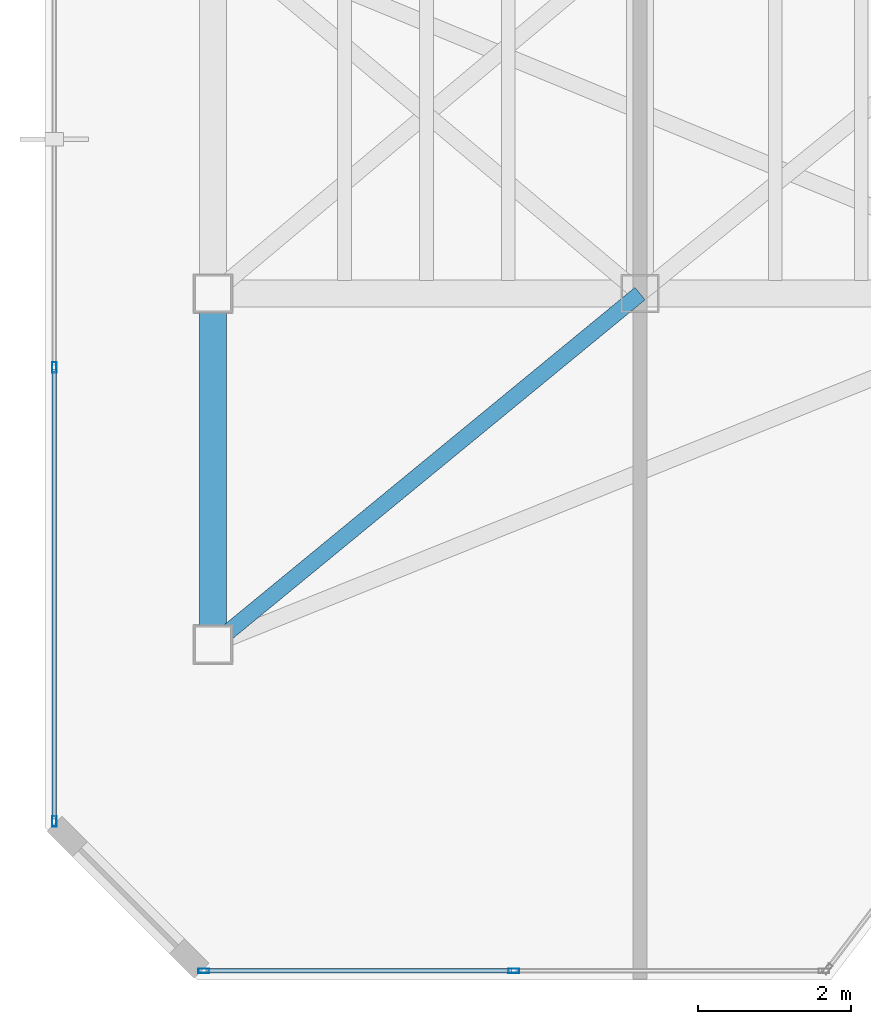
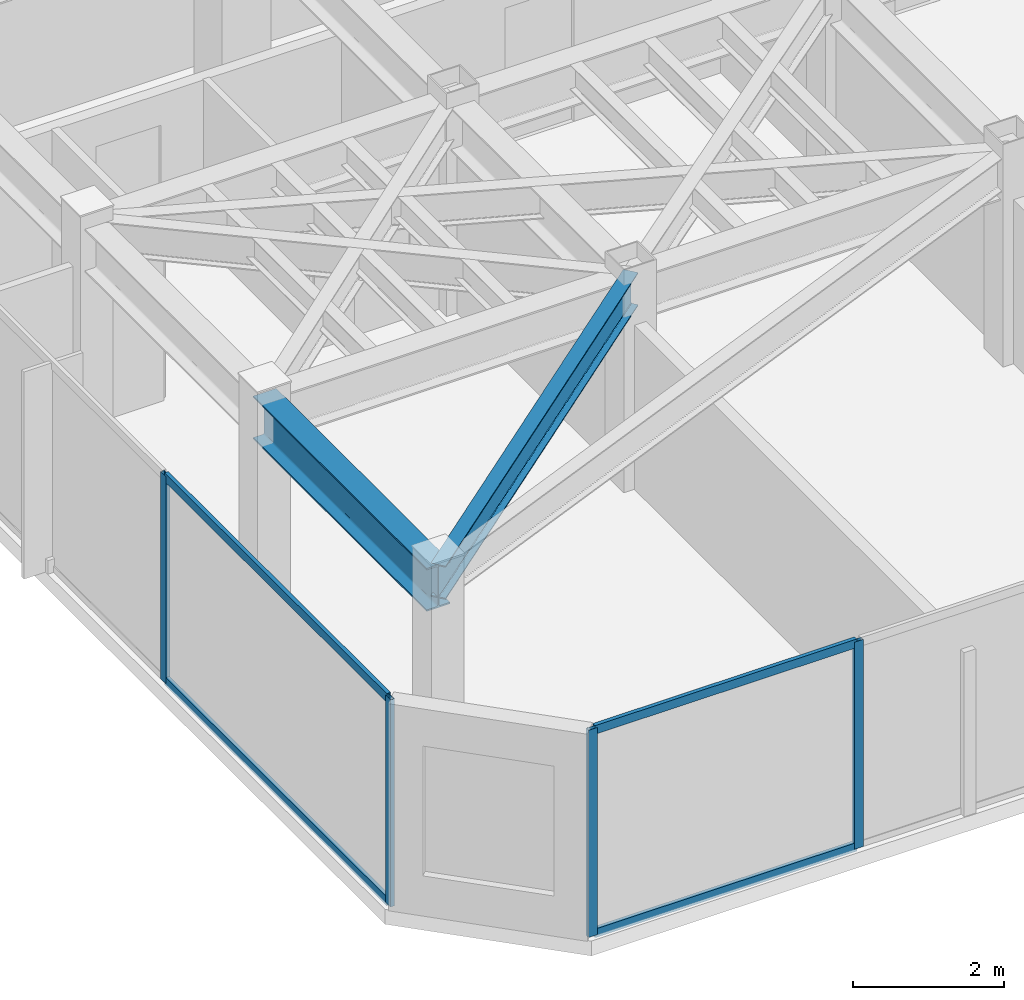
# One storey, part 2 of 19: 8 members, 2 beams, 2 elements without a shape of their own.
"""IFC4 building model written with IfcOpenShell, lengths in metres."""

from ifc_helpers import new_model, si_unit, direction, frame, origin, origin_2d, place, context, subcontext, project, spatial, hollow_rectangle, i_section, extrude, material, layer, layer_set, material_profile, profile_set, type_object, element, aggregate, save


model = new_model("IFC4")

# Units and contexts
model_context = context("Model", 3, precision=1e-05, world=origin(), true_north=direction((0.0, 1.0)))
body_context = subcontext(model_context, "Body", "Model", "MODEL_VIEW")
ifc_project = project(units=[si_unit("LENGTHUNIT", "METRE"), si_unit("AREAUNIT", "SQUARE_METRE"), si_unit("VOLUMEUNIT", "CUBIC_METRE"), si_unit("PLANEANGLEUNIT", "RADIAN"), si_unit("MASSUNIT", "GRAM", prefix="KILO")], contexts=[model_context])

# Site, building, storey
site_placement = place(None, origin())
site = spatial("IfcSite", under=ifc_project, at=site_placement, CompositionType="ELEMENT")
building_placement = place(site_placement, origin())
building = spatial("IfcBuilding", under=site, at=building_placement, Name="Kravanh Interchange Tower", CompositionType="ELEMENT")
storey_placement = place(building_placement, frame((0.0, 0.0, 259.800048828125)))
storey = spatial("IfcBuildingStorey", under=building, at=storey_placement, Name="L63", CompositionType="ELEMENT", Elevation=259.800048828125)

# Curtain wall, members
ifc_material_1 = material(Name="Anodised Bronze Aluminium", Category="aluminium")
ifc_layer = layer(ifc_material_1, 0.179931640625)
ifc_layer_set = layer_set([ifc_layer], Name="Unitised Curtain Wall System CW-HTL Luxury Hotel")
curtain_wall_type = type_object("IfcCurtainWallType", Name="Unitised Curtain Wall System CW-HTL Luxury Hotel", PredefinedType="NOTDEFINED", material=ifc_layer_set)
curtain_wall_1_placement = place(storey_placement, origin())
curtain_wall_1 = element("IfcCurtainWall", 1, at=curtain_wall_1_placement, inside=storey, type_object=curtain_wall_type, Name="L63 Unitised Curtain Wall CW-L63-01", PredefinedType="NOTDEFINED")
ifc_material_2 = material(Name="Anodised Bronze Aluminium", Category="aluminium")
ifc_material_profile_1 = material_profile(ifc_material_2, hollow_rectangle(XDim=0.06005859375, YDim=0.139892578125, WallThickness=0.00390625, at=origin_2d()), Name="ALU60X140X4")
ifc_profile_set_1 = profile_set([ifc_material_profile_1], Name="Anodised Bronze Aluminium")
member_type_1 = type_object("IfcMemberType", Name="Curtain Wall Mullion ALU60X140X4 Bronze", PredefinedType="MULLION", material=ifc_profile_set_1)
member_1_placement = place(storey_placement, frame((25.1201171875, 19.879638671875, 0.0), z_axis=(0.0, 0.0, 1.0), x_axis=(-1.0, 0.0, 0.0)))
member_1 = element("IfcMember", 2, at=member_1_placement, type_object=member_type_1, Name="CW-HTL mullion 1", PredefinedType="MULLION", context=body_context, shape_type="SweptSolid", body=[
    extrude(hollow_rectangle(XDim=0.06005859375, YDim=0.139892578125, WallThickness=0.00390625, at=origin_2d()), origin(), (0.0, 0.0, 1.0), 3.349853515625),
])
member_2_placement = place(storey_placement, frame((25.1201171875, 25.833251953125, 0.0), z_axis=(0.0, 0.0, 1.0), x_axis=(-1.0, 0.0, 0.0)))
member_2 = element("IfcMember", 3, at=member_2_placement, type_object=member_type_1, Name="CW-HTL mullion 2", PredefinedType="MULLION", context=body_context, shape_type="SweptSolid", body=[
    extrude(hollow_rectangle(XDim=0.06005859375, YDim=0.139892578125, WallThickness=0.00390625, at=origin_2d()), origin(), (0.0, 0.0, 1.0), 3.349853515625),
])

curtain_wall_2_placement = place(storey_placement, origin())
curtain_wall_2 = element("IfcCurtainWall", 4, at=curtain_wall_2_placement, inside=storey, type_object=curtain_wall_type, Name="L63 Unitised Curtain Wall CW-L63-06", PredefinedType="NOTDEFINED")
member_3_placement = place(storey_placement, frame((31.14501953125, 17.919921875, 0.0), z_axis=(0.0, 0.0, 1.0), x_axis=(0.0, -1.0, 0.0)))
member_3 = element("IfcMember", 5, at=member_3_placement, type_object=member_type_1, Name="CW-HTL mullion 2", PredefinedType="MULLION", context=body_context, shape_type="SweptSolid", body=[
    extrude(hollow_rectangle(XDim=0.06005859375, YDim=0.139892578125, WallThickness=0.00390625, at=origin_2d()), origin(), (0.0, 0.0, 1.0), 3.349853515625),
])
member_4_placement = place(storey_placement, frame((27.07958984375, 17.919921875, 0.0), z_axis=(0.0, 0.0, 1.0), x_axis=(0.0, -1.0, 0.0)))
member_4 = element("IfcMember", 6, at=member_4_placement, type_object=member_type_1, Name="CW-HTL mullion 3", PredefinedType="MULLION", context=body_context, shape_type="SweptSolid", body=[
    extrude(hollow_rectangle(XDim=0.06005859375, YDim=0.139892578125, WallThickness=0.00390625, at=origin_2d()), origin(), (0.0, 0.0, 1.0), 3.349853515625),
])

# Member
ifc_material_3 = material(Name="Anodised Bronze Aluminium", Category="aluminium")
ifc_material_profile_2 = material_profile(ifc_material_3, hollow_rectangle(XDim=0.06005859375, YDim=0.139892578125, WallThickness=0.00390625, at=origin_2d()), Name="ALU60X140X4")
ifc_profile_set_2 = profile_set([ifc_material_profile_2], Name="Anodised Bronze Aluminium")
member_type_2 = type_object("IfcMemberType", Name="Curtain Wall Transom ALU60X140X4 Bronze", PredefinedType="USERDEFINED", material=ifc_profile_set_2)
member_5_placement = place(storey_placement, frame((25.1201171875, 19.90966796875, 0.030029296875), z_axis=(0.0, 1.0, 0.0), x_axis=(-1.0, 0.0, 0.0)))
member_5 = element("IfcMember", 7, at=member_5_placement, type_object=member_type_2, Name="CW-HTL transom 1.1", ObjectType="TRANSOM", PredefinedType="USERDEFINED", context=body_context, shape_type="SweptSolid", body=[
    extrude(hollow_rectangle(XDim=0.06005859375, YDim=0.139892578125, WallThickness=0.00390625, at=origin_2d()), origin(), (0.0, 0.0, 1.0), 5.8935546875),
])

member_6_placement = place(storey_placement, frame((25.1201171875, 19.90966796875, 3.320068359375), z_axis=(0.0, 1.0, 0.0), x_axis=(-1.0, 0.0, 0.0)))
member_6 = element("IfcMember", 8, at=member_6_placement, type_object=member_type_2, Name="CW-HTL transom 1.2", ObjectType="TRANSOM", PredefinedType="USERDEFINED", context=body_context, shape_type="SweptSolid", body=[
    extrude(hollow_rectangle(XDim=0.06005859375, YDim=0.139892578125, WallThickness=0.00390625, at=origin_2d()), origin(), (0.0, 0.0, 1.0), 5.8935546875),
])

aggregate(curtain_wall_1, [member_1, member_2, member_5, member_6])

member_7_placement = place(storey_placement, frame((31.114990234375, 17.919921875, 0.030029296875), z_axis=(-1.0, 0.0, 0.0), x_axis=(0.0, -1.0, 0.0)))
member_7 = element("IfcMember", 9, at=member_7_placement, type_object=member_type_2, Name="CW-HTL transom 2.1", ObjectType="TRANSOM", PredefinedType="USERDEFINED", context=body_context, shape_type="SweptSolid", body=[
    extrude(hollow_rectangle(XDim=0.06005859375, YDim=0.139892578125, WallThickness=0.00390625, at=origin_2d()), origin(), (0.0, 0.0, 1.0), 4.00537109375),
])

member_8_placement = place(storey_placement, frame((31.114990234375, 17.919921875, 3.320068359375), z_axis=(-1.0, 0.0, 0.0), x_axis=(0.0, -1.0, 0.0)))
member_8 = element("IfcMember", 10, at=member_8_placement, type_object=member_type_2, Name="CW-HTL transom 2.2", ObjectType="TRANSOM", PredefinedType="USERDEFINED", context=body_context, shape_type="SweptSolid", body=[
    extrude(hollow_rectangle(XDim=0.06005859375, YDim=0.139892578125, WallThickness=0.00390625, at=origin_2d()), origin(), (0.0, 0.0, 1.0), 4.00537109375),
])

aggregate(curtain_wall_2, [member_3, member_4, member_7, member_8])

# Beams
ifc_material_4 = material(Name="Structural Steel S355", Category="steel")
ifc_material_profile_3 = material_profile(ifc_material_4, i_section(OverallWidth=0.35498046875, OverallDepth=0.696044921875, WebThickness=0.015380859375, FlangeThickness=0.02490234375, FilletRadius=0.02392578125, at=origin_2d()), Name="W27X146")
ifc_profile_set_3 = profile_set([ifc_material_profile_3], Name="Structural Steel S355")
beam_type_1 = type_object("IfcBeamType", Name="Floor Beam W27X146 Structural Steel S355", PredefinedType="BEAM", material=ifc_profile_set_3)
beam_1_placement = place(storey_placement, frame((27.199951171875, 22.199951171875, 3.001953125), z_axis=(0.0, 1.0, 0.0), x_axis=(-1.0, 0.0, 0.0)))
element("IfcBeam", 11, at=beam_1_placement, inside=storey, type_object=beam_type_1, Name="L63 Primary Floor Girder 40", PredefinedType="BEAM", context=body_context, shape_type="SweptSolid", body=[
    extrude(i_section(OverallWidth=0.35498046875, OverallDepth=0.696044921875, WebThickness=0.015380859375, FlangeThickness=0.02490234375, FilletRadius=0.02392578125, at=origin_2d()), origin(), (0.0, 0.0, 1.0), 4.60009765625),
])
ifc_material_5 = material(Name="Structural Steel S355", Category="steel")
ifc_material_profile_4 = material_profile(ifc_material_5, i_section(OverallWidth=0.2099609375, OverallDepth=0.537109375, WebThickness=0.010986328125, FlangeThickness=0.017333984375, FilletRadius=0.02001953125, at=origin_2d()), Name="W21X68")
ifc_profile_set_4 = profile_set([ifc_material_profile_4], Name="Structural Steel S355")
beam_type_2 = type_object("IfcBeamType", Name="Floor Spandrel W21X68 Structural Steel S355", PredefinedType="SPANDREL", material=ifc_profile_set_4)
beam_2_placement = place(storey_placement, frame((27.199951171875, 22.199951171875, 3.08154296875), z_axis=(0.772725074305, 0.634740860147, 0.0), x_axis=(-0.634740860147, 0.772725074305, 0.0)))
element("IfcBeam", 12, at=beam_2_placement, inside=storey, type_object=beam_type_2, Name="L63 Perimeter Spandrel 41", PredefinedType="SPANDREL", context=body_context, shape_type="SweptSolid", body=[
    extrude(i_section(OverallWidth=0.2099609375, OverallDepth=0.537109375, WebThickness=0.010986328125, FlangeThickness=0.017333984375, FilletRadius=0.02001953125, at=origin_2d()), origin(), (0.0, 0.0, 1.0), 7.247314453125),
])

save(model, "model.ifc")
